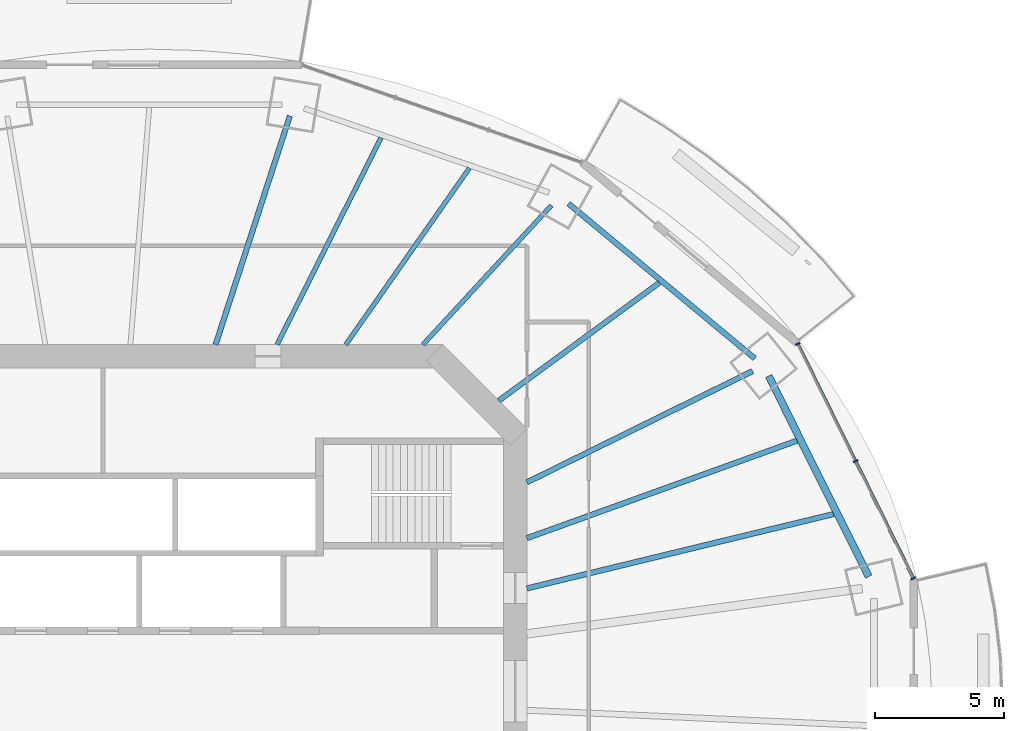
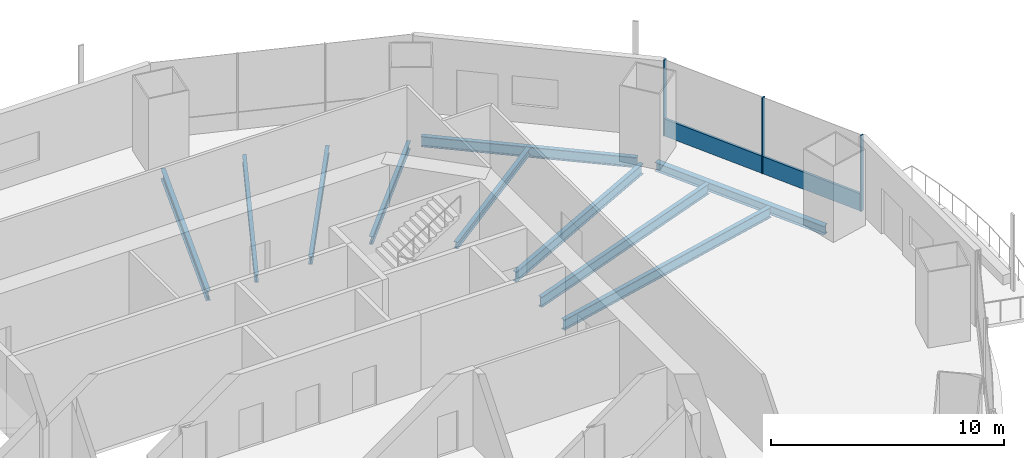
# One storey, part 7 of 19: 10 beams, 4 members, 1 element without a shape of its own.
"""IFC4 building model written with IfcOpenShell, lengths in metres."""

import ifcopenshell
import ifcopenshell.guid

model = None  # the IFC model being written
_history = None  # IfcOwnerHistory: only IFC2X3 demands one
_inside = {}  # id of a spatial element -> (the spatial element, [elements in it])
_under = {}  # id of a project, library or spatial element -> (it, [spatial elements below it])
_declared = {}  # id of a project -> (the project, [libraries it declares])
_typed = {}  # id of a type object -> (the type object, [elements of that type])
_made_of = {}  # id of a material, layer set ... -> (it, [elements and type objects made of it])


def new_model(schema):
    """Start an empty IFC model of exactly this schema.

    Asked for "IFC4X3", IfcOpenShell would pick the latest addendum, in which some entities
    have other attributes; the version numbers below select the first issue.
    IFC2X3 requires an IfcOwnerHistory on every rooted entity: one is made here for all.
    """
    global model, _history
    if schema == "IFC4X3":
        model = ifcopenshell.file(schema_version=(4, 3, 0, 0))
    else:
        model = ifcopenshell.file(schema=schema)
    _inside.clear()
    _under.clear()
    _declared.clear()
    _typed.clear()
    _made_of.clear()
    _history = None
    if model.schema == "IFC2X3":
        org = make("IfcOrganization", Name="unknown")
        user = make(
            "IfcPersonAndOrganization",
            ThePerson=make("IfcPerson", FamilyName="unknown"),
            TheOrganization=org,
        )
        app = make(
            "IfcApplication",
            ApplicationDeveloper=org,
            Version="unknown",
            ApplicationFullName="unknown",
            ApplicationIdentifier="unknown",
        )
        _history = make(
            "IfcOwnerHistory",
            OwningUser=user,
            OwningApplication=app,
            ChangeAction="ADDED",
            CreationDate=0,
        )
    return model


def make(cls, **values):
    """One entity of the class cls with the attributes given. An attribute that is None is left unset."""
    return model.create_entity(
        cls, **{name: value for name, value in values.items() if value is not None}
    )


def rooted(cls, **values):
    """An entity with a GlobalId (a new one), such as an element, a storey or a relation."""
    return make(cls, GlobalId=ifcopenshell.guid.new(), OwnerHistory=_history, **values)


def si_unit(unit_type, name, prefix=None):
    """IfcSIUnit, for example si_unit("LENGTHUNIT", "METRE", prefix="MILLI")."""
    return make("IfcSIUnit", UnitType=unit_type, Prefix=prefix, Name=name)


def assignment(units):
    """IfcUnitAssignment: the units of a project."""
    return None if units is None else make("IfcUnitAssignment", Units=units)


def point(xyz):
    """IfcCartesianPoint."""
    return None if xyz is None else make("IfcCartesianPoint", Coordinates=xyz)


def direction(xyz):
    """IfcDirection."""
    return None if xyz is None else make("IfcDirection", DirectionRatios=xyz)


def frame(location, z_axis=None, x_axis=None):
    """IfcAxis2Placement3D, a coordinate frame: its origin and axes. An axis left out is left unset."""
    return make(
        "IfcAxis2Placement3D",
        Location=point(location),
        Axis=direction(z_axis),
        RefDirection=direction(x_axis),
    )


def frame_2d(location, x_axis=None):
    """IfcAxis2Placement2D, a coordinate frame in the plane: its origin and x axis."""
    return make(
        "IfcAxis2Placement2D", Location=point(location), RefDirection=direction(x_axis)
    )


def origin():
    """The frame at (0, 0, 0) with its axes left unset."""
    return frame((0.0, 0.0, 0.0))


def origin_2d():
    """The frame at (0, 0) in the plane with its x axis left unset."""
    return frame_2d((0.0, 0.0))


def place(relative_to, where):
    """IfcLocalPlacement: puts the frame where relative to a parent placement (None: the world)."""
    return make(
        "IfcLocalPlacement", PlacementRelTo=relative_to, RelativePlacement=where
    )


def context(
    kind, dimensions, precision=None, world=None, true_north=None, identifier=None
):
    """IfcGeometricRepresentationContext, for example the 3D "Model" context."""
    return make(
        "IfcGeometricRepresentationContext",
        ContextIdentifier=identifier,
        ContextType=kind,
        CoordinateSpaceDimension=dimensions,
        Precision=precision,
        WorldCoordinateSystem=world,
        TrueNorth=true_north,
    )


def subcontext(parent, identifier, kind, view, scale=None):
    """IfcGeometricRepresentationSubContext, for example "Body" below "Model"."""
    return make(
        "IfcGeometricRepresentationSubContext",
        ContextIdentifier=identifier,
        ContextType=kind,
        ParentContext=parent,
        TargetScale=scale,
        TargetView=view,
    )


def project(units=None, contexts=None):
    """IfcProject with its units and contexts."""
    return rooted(
        "IfcProject",
        Name="project",
        RepresentationContexts=contexts,
        UnitsInContext=assignment(units),
    )


def spatial(cls, under=None, at=None, **own):
    """A site, building, storey or space (cls), placed at a placement, below another one or the project."""
    s = rooted(cls, ObjectPlacement=at, **own)
    if under is not None:
        _under.setdefault(under.id(), (under, []))[1].append(s)
    return s


def profile(cls, at=None, kind="AREA", **sizes):
    """A parametric profile (cls). Its sizes go by their IFC names, for example OverallWidth=200.0."""
    return make(cls, ProfileType=kind, Position=at, **sizes)


def rectangle(**sizes):
    """IfcRectangleProfileDef."""
    return profile("IfcRectangleProfileDef", **sizes)


def i_section(**sizes):
    """IfcIShapeProfileDef."""
    return profile("IfcIShapeProfileDef", **sizes)


def extrude(swept, where, along, depth):
    """IfcExtrudedAreaSolid: the profile swept, set in the frame where, extruded along a direction by depth."""
    return make(
        "IfcExtrudedAreaSolid",
        SweptArea=swept,
        Position=where,
        ExtrudedDirection=direction(along),
        Depth=depth,
    )


def shape(context_of_items, identifier, shape_type, items):
    """IfcShapeRepresentation: the items that make up one representation, for example the "Body"."""
    return make(
        "IfcShapeRepresentation",
        ContextOfItems=context_of_items,
        RepresentationIdentifier=identifier,
        RepresentationType=shape_type,
        Items=items,
    )


def material(Name=None, Category=None):
    """IfcMaterial."""
    return make("IfcMaterial", Name=Name, Category=Category)


def material_profile(
    of_material, cross_section, Name=None, Category=None, Priority=None
):
    """IfcMaterialProfile: a cross section and its material."""
    return make(
        "IfcMaterialProfile",
        Name=Name,
        Material=of_material,
        Profile=cross_section,
        Priority=Priority,
        Category=Category,
    )


def profile_set(profiles, Name=None, composite=None):
    """IfcMaterialProfileSet."""
    return make(
        "IfcMaterialProfileSet",
        Name=Name,
        MaterialProfiles=profiles,
        CompositeProfile=composite,
    )


def made_of(thing, what):
    """Note that an element or type object is made of a material, layer set ...; save() writes the relation."""
    if what is not None:
        _made_of.setdefault(what.id(), (what, []))[1].append(thing)
    return thing


def type_object(cls, material=None, **own):
    """A type object (cls), such as IfcWallType, which elements share."""
    return made_of(rooted(cls, **own), material)


def element(
    cls,
    number,
    at=None,
    inside=None,
    cuts=None,
    type_object=None,
    material=None,
    context=None,
    identifier="Body",
    shape_type=None,
    held_by="IfcProductDefinitionShape",
    body=None,
    shapes=None,
    **own,
):
    """One element of the class cls, such as IfcWall. Its Tag is "e" and its number.

    at: its placement. inside: the storey or other place that contains it. cuts: it is an
    opening in that element (IfcRelVoidsElement). A single representation is given by context,
    identifier, shape_type and body (its items); several are given by shapes. held_by: the class
    of the entity that holds the representations. save() writes the other relations.
    """
    e = rooted(cls, Tag="e%d" % number, ObjectPlacement=at, **own)
    if body is not None:
        shapes = [shape(context, identifier, shape_type, body)]
    if shapes is not None:
        e.Representation = make(held_by, Representations=shapes)
    if inside is not None:
        _inside.setdefault(inside.id(), (inside, []))[1].append(e)
    if cuts is not None:
        rooted(
            "IfcRelVoidsElement", RelatingBuildingElement=cuts, RelatedOpeningElement=e
        )
    if type_object is not None:
        _typed.setdefault(type_object.id(), (type_object, []))[1].append(e)
    return made_of(e, material)


def aggregate(whole, parts):
    """IfcRelAggregates: a whole, such as a stair, and the parts it consists of."""
    return rooted("IfcRelAggregates", RelatingObject=whole, RelatedObjects=parts)


def save(model, path):
    """Write the relations noted so far, then the file.

    IfcRelAggregates (storeys below a building ...), IfcRelContainedInSpatialStructure (elements
    in a storey), IfcRelDefinesByType, IfcRelAssociatesMaterial and IfcRelDeclares: one each for
    every whole, place, type object, material and project.
    """
    for whole, parts in _under.values():
        aggregate(whole, parts)
    for where, things in _inside.values():
        rooted(
            "IfcRelContainedInSpatialStructure",
            RelatedElements=things,
            RelatingStructure=where,
        )
    for kind, things in _typed.values():
        rooted("IfcRelDefinesByType", RelatedObjects=things, RelatingType=kind)
    for what, things in _made_of.values():
        rooted("IfcRelAssociatesMaterial", RelatedObjects=things, RelatingMaterial=what)
    for by, libraries in _declared.values():
        rooted("IfcRelDeclares", RelatingContext=by, RelatedDefinitions=libraries)
    model.write(path)


model = new_model("IFC4")

# Units and contexts
model_context = context("Model", 3, precision=1e-05, world=origin(), true_north=direction((0.0, 1.0)))
body_context = subcontext(model_context, "Body", "Model", "MODEL_VIEW")
ifc_project = project(units=[si_unit("LENGTHUNIT", "METRE"), si_unit("AREAUNIT", "SQUARE_METRE"), si_unit("VOLUMEUNIT", "CUBIC_METRE"), si_unit("PLANEANGLEUNIT", "RADIAN"), si_unit("MASSUNIT", "GRAM", prefix="KILO")], contexts=[model_context])

# Site, building, storey
site_placement = place(None, origin())
site = spatial("IfcSite", under=ifc_project, at=site_placement, CompositionType="ELEMENT")
building_placement = place(site_placement, origin())
building = spatial("IfcBuilding", under=site, at=building_placement, Name="Marenthal Gate Tower", CompositionType="ELEMENT")
storey_placement = place(building_placement, frame((0.0, 0.0, 235.75)))
storey = spatial("IfcBuildingStorey", under=building, at=storey_placement, Name="L52", CompositionType="ELEMENT", Elevation=235.75)

# Curtain wall, members
ifc_material_1 = material(Name="Aluminium and glass", Category="aluminium")
curtain_wall_type = type_object("IfcCurtainWallType", Name="Curtain wall typical mid", PredefinedType="NOTDEFINED", material=ifc_material_1)
curtain_wall_placement = place(storey_placement, origin())
curtain_wall = element("IfcCurtainWall", 1, at=curtain_wall_placement, inside=storey, type_object=curtain_wall_type, Name="Curtain wall L52 bay 1", PredefinedType="NOTDEFINED")
ifc_material_2 = material(Name="Aluminium", Category="aluminium")
ifc_material_profile_1 = material_profile(ifc_material_2, rectangle(XDim=0.179931640625, YDim=0.06005859375, at=origin_2d()), Name="60x180 aluminium mullion")
ifc_profile_set_1 = profile_set([ifc_material_profile_1], Name="Aluminium")
member_type_1 = type_object("IfcMemberType", Name="Mullion 60x180 typical mid", PredefinedType="MULLION", material=ifc_profile_set_1)
member_1_placement = place(storey_placement, frame((31.45068359375, 4.382080078125, 0.0), z_axis=(0.0, 0.0, 1.0), x_axis=(-0.896835471663, -0.442364258013, 0.0)))
member_1 = element("IfcMember", 2, at=member_1_placement, type_object=member_type_1, Name="Mullion L52 bay 1.1", PredefinedType="MULLION", context=body_context, shape_type="SweptSolid", body=[
    extrude(rectangle(XDim=0.179931640625, YDim=0.06005859375, at=origin_2d()), origin(), (0.0, 0.0, 1.0), 3.969970703125),
])
member_2_placement = place(storey_placement, frame((29.205810546875, 8.93310546875, 0.0), z_axis=(0.0, 0.0, 1.0), x_axis=(-0.896835471663, -0.442364258013, 0.0)))
member_2 = element("IfcMember", 3, at=member_2_placement, type_object=member_type_1, Name="Mullion L52 bay 1.2", PredefinedType="MULLION", context=body_context, shape_type="SweptSolid", body=[
    extrude(rectangle(XDim=0.179931640625, YDim=0.06005859375, at=origin_2d()), origin(), (0.0, 0.0, 1.0), 3.969970703125),
])
member_3_placement = place(storey_placement, frame((26.961181640625, 13.48388671875, 0.0), z_axis=(0.0, 0.0, 1.0), x_axis=(-0.896835471663, -0.442364258013, 0.0)))
member_3 = element("IfcMember", 4, at=member_3_placement, type_object=member_type_1, Name="Mullion L52 bay 1.3", PredefinedType="MULLION", context=body_context, shape_type="SweptSolid", body=[
    extrude(rectangle(XDim=0.179931640625, YDim=0.06005859375, at=origin_2d()), origin(), (0.0, 0.0, 1.0), 3.969970703125),
])
ifc_material_3 = material(Name="Aluminium", Category="aluminium")
ifc_material_profile_2 = material_profile(ifc_material_3, rectangle(XDim=0.1201171875, YDim=0.89990234375, at=origin_2d()), Name="120x900 aluminium transom")
ifc_profile_set_2 = profile_set([ifc_material_profile_2], Name="Aluminium")
member_type_2 = type_object("IfcMemberType", Name="Transom 120x900 typical mid", PredefinedType="USERDEFINED", material=ifc_profile_set_2)
member_4_placement = place(storey_placement, frame((31.437255859375, 4.408935546875, 0.449951171875), z_axis=(-0.442357544454, 0.896838783096, 0.0), x_axis=(-0.896838783096, -0.442357544454, 0.0)))
member_4 = element("IfcMember", 5, at=member_4_placement, type_object=member_type_2, Name="Transom L52 bay 1", ObjectType="TRANSOM", PredefinedType="USERDEFINED", context=body_context, shape_type="SweptSolid", body=[
    extrude(rectangle(XDim=0.1201171875, YDim=0.89990234375, at=origin_2d()), origin(), (0.0, 0.0, 1.0), 10.0888671875),
])
aggregate(curtain_wall, [member_1, member_2, member_3, member_4])

# Beams
ifc_material_4 = material(Name="Steel S355", Category="steel")
ifc_material_profile_3 = material_profile(ifc_material_4, i_section(OverallWidth=0.205078125, OverallDepth=0.35302734375, WebThickness=0.009521484375, FlangeThickness=0.016845703125, FilletRadius=0.014892578125, at=origin_2d()), Name="W360X79")
ifc_profile_set_3 = profile_set([ifc_material_profile_3], Name="Steel S355")
beam_type_1 = type_object("IfcBeamType", Name="W360X79 beam", PredefinedType="BEAM", material=ifc_profile_set_3)
beam_1_placement = place(storey_placement, frame((21.591796875, 15.854248046875, -0.3564453125), z_axis=(-0.806043496399, -0.591856301743, 0.0), x_axis=(0.591856301743, -0.806043496399, 0.0)))
element("IfcBeam", 6, at=beam_1_placement, inside=storey, type_object=beam_type_1, Name="BM-L52-19", PredefinedType="BEAM", context=body_context, shape_type="SweptSolid", body=[
    extrude(i_section(OverallWidth=0.205078125, OverallDepth=0.35302734375, WebThickness=0.009521484375, FlangeThickness=0.016845703125, FilletRadius=0.014892578125, at=origin_2d()), origin(), (0.0, 0.0, 1.0), 7.732666015625),
])
ifc_material_5 = material(Name="Steel S355", Category="steel")
ifc_material_profile_4 = material_profile(ifc_material_5, i_section(OverallWidth=0.180908203125, OverallDepth=0.4169921875, WebThickness=0.010986328125, FlangeThickness=0.018310546875, FilletRadius=0.01025390625, at=origin_2d()), Name="W410X85")
ifc_profile_set_4 = profile_set([ifc_material_profile_4], Name="Steel S355")
beam_type_2 = type_object("IfcBeamType", Name="W410X85 beam", PredefinedType="BEAM", material=ifc_profile_set_4)
beam_2_placement = place(storey_placement, frame((17.4013671875, 18.853759765625, -0.388427734375), z_axis=(-0.678237355603, -0.734842901214, 0.0), x_axis=(0.734842901214, -0.678237355603, 0.0)))
element("IfcBeam", 7, at=beam_2_placement, inside=storey, type_object=beam_type_2, Name="BM-L52-03", PredefinedType="BEAM", context=body_context, shape_type="SweptSolid", body=[
    extrude(i_section(OverallWidth=0.180908203125, OverallDepth=0.4169921875, WebThickness=0.010986328125, FlangeThickness=0.018310546875, FilletRadius=0.01025390625, at=origin_2d()), origin(), (0.0, 0.0, 1.0), 7.353759765625),
])
beam_3_placement = place(storey_placement, frame((14.2177734375, 20.300048828125, -0.388427734375), z_axis=(-0.573666087874, -0.819089262305, 0.0), x_axis=(0.819089262305, -0.573666087874, 0.0)))
element("IfcBeam", 8, at=beam_3_placement, inside=storey, type_object=beam_type_2, Name="BM-L52-20", PredefinedType="BEAM", context=body_context, shape_type="SweptSolid", body=[
    extrude(i_section(OverallWidth=0.180908203125, OverallDepth=0.4169921875, WebThickness=0.010986328125, FlangeThickness=0.018310546875, FilletRadius=0.01025390625, at=origin_2d()), origin(), (0.0, 0.0, 1.0), 8.363037109375),
])
beam_4_placement = place(storey_placement, frame((10.788818359375, 21.480224609375, -0.388427734375), z_axis=(-0.448842934274, -0.89361066486, 0.0), x_axis=(0.89361066486, -0.448842934274, 0.0)))
element("IfcBeam", 9, at=beam_4_placement, inside=storey, type_object=beam_type_2, Name="BM-L52-21", PredefinedType="BEAM", context=body_context, shape_type="SweptSolid", body=[
    extrude(i_section(OverallWidth=0.180908203125, OverallDepth=0.4169921875, WebThickness=0.010986328125, FlangeThickness=0.018310546875, FilletRadius=0.01025390625, at=origin_2d()), origin(), (0.0, 0.0, 1.0), 8.986328125),
])
ifc_material_6 = material(Name="Steel S355", Category="steel")
ifc_material_profile_5 = material_profile(ifc_material_6, i_section(OverallWidth=0.279052734375, OverallDepth=0.4619140625, WebThickness=0.0107421875, FlangeThickness=0.017333984375, FilletRadius=0.010009765625, at=origin_2d()), Name="W460X113")
ifc_profile_set_5 = profile_set([ifc_material_profile_5], Name="Steel S355")
beam_type_3 = type_object("IfcBeamType", Name="W460X113 beam", PredefinedType="BEAM", material=ifc_profile_set_5)
beam_5_placement = place(storey_placement, frame((29.713623046875, 4.44921875, -0.410888671875), z_axis=(-0.446112921938, 0.894976681752, 0.0), x_axis=(-0.894976681752, -0.446112921938, 0.0)))
element("IfcBeam", 10, at=beam_5_placement, inside=storey, type_object=beam_type_3, Name="BM-L52-41", PredefinedType="BEAM", context=body_context, shape_type="SweptSolid", body=[
    extrude(i_section(OverallWidth=0.279052734375, OverallDepth=0.4619140625, WebThickness=0.0107421875, FlangeThickness=0.017333984375, FilletRadius=0.010009765625, at=origin_2d()), origin(), (0.0, 0.0, 1.0), 8.69775390625),
])
ifc_material_7 = material(Name="Steel S355", Category="steel")
ifc_material_profile_6 = material_profile(ifc_material_7, i_section(OverallWidth=0.2099609375, OverallDepth=0.535888671875, WebThickness=0.010986328125, FlangeThickness=0.017333984375, FilletRadius=0.0126953125, at=origin_2d()), Name="W530X101")
ifc_profile_set_6 = profile_set([ifc_material_profile_6], Name="Steel S355")
beam_type_4 = type_object("IfcBeamType", Name="W530X101 beam", PredefinedType="BEAM", material=ifc_profile_set_6)
beam_6_placement = place(storey_placement, frame((25.20947265625, 12.423828125, -0.447998046875), z_axis=(-0.896987399535, -0.442056110777, 0.0), x_axis=(0.442056110777, -0.896987399535, 0.0)))
element("IfcBeam", 11, at=beam_6_placement, inside=storey, type_object=beam_type_4, Name="BM-L52-02", PredefinedType="BEAM", context=body_context, shape_type="SweptSolid", body=[
    extrude(i_section(OverallWidth=0.2099609375, OverallDepth=0.535888671875, WebThickness=0.010986328125, FlangeThickness=0.017333984375, FilletRadius=0.0126953125, at=origin_2d()), origin(), (0.0, 0.0, 1.0), 9.765380859375),
])
beam_7_placement = place(storey_placement, frame((7.25, 22.322998046875, -0.447998046875), z_axis=(-0.308901447046, -0.951094052138, 0.0), x_axis=(0.951094052138, -0.308901447046, 0.0)))
element("IfcBeam", 12, at=beam_7_placement, inside=storey, type_object=beam_type_4, Name="BM-L52-04", PredefinedType="BEAM", context=body_context, shape_type="SweptSolid", body=[
    extrude(i_section(OverallWidth=0.2099609375, OverallDepth=0.535888671875, WebThickness=0.010986328125, FlangeThickness=0.017333984375, FilletRadius=0.0126953125, at=origin_2d()), origin(), (0.0, 0.0, 1.0), 9.329345703125),
])
beam_8_placement = place(storey_placement, frame((26.9287109375, 9.723388671875, -0.447998046875), z_axis=(-0.940562649945, -0.339620231329, 0.0), x_axis=(0.339620231329, -0.940562649945, 0.0)))
element("IfcBeam", 13, at=beam_8_placement, inside=storey, type_object=beam_type_4, Name="BM-L52-18", PredefinedType="BEAM", context=body_context, shape_type="SweptSolid", body=[
    extrude(i_section(OverallWidth=0.2099609375, OverallDepth=0.535888671875, WebThickness=0.010986328125, FlangeThickness=0.017333984375, FilletRadius=0.0126953125, at=origin_2d()), origin(), (0.0, 0.0, 1.0), 11.140869140625),
])
ifc_material_8 = material(Name="Steel S355", Category="steel")
ifc_material_profile_7 = material_profile(ifc_material_8, i_section(OverallWidth=0.2119140625, OverallDepth=0.5439453125, WebThickness=0.01318359375, FlangeThickness=0.021240234375, FilletRadius=0.0126953125, at=origin_2d()), Name="W530X123")
ifc_profile_set_7 = profile_set([ifc_material_profile_7], Name="Steel S355")
beam_type_5 = type_object("IfcBeamType", Name="W530X123 beam", PredefinedType="BEAM", material=ifc_profile_set_7)
beam_9_placement = place(storey_placement, frame((28.348388671875, 6.875244140625, -0.451904296875), z_axis=(-0.97182630342, -0.235698188329, 0.0), x_axis=(0.235698188329, -0.97182630342, 0.0)))
element("IfcBeam", 14, at=beam_9_placement, inside=storey, type_object=beam_type_5, Name="BM-L52-17", PredefinedType="BEAM", context=body_context, shape_type="SweptSolid", body=[
    extrude(i_section(OverallWidth=0.2119140625, OverallDepth=0.5439453125, WebThickness=0.01318359375, FlangeThickness=0.021240234375, FilletRadius=0.0126953125, at=origin_2d()), origin(), (0.0, 0.0, 1.0), 12.243408203125),
])
beam_10_placement = place(storey_placement, frame((25.292724609375, 12.916748046875, -0.451904296875), z_axis=(-0.769136149311, 0.63908495822, 0.0), x_axis=(-0.63908495822, -0.769136149311, 0.0)))
element("IfcBeam", 15, at=beam_10_placement, inside=storey, type_object=beam_type_5, Name="BM-L52-42", PredefinedType="BEAM", context=body_context, shape_type="SweptSolid", body=[
    extrude(i_section(OverallWidth=0.2119140625, OverallDepth=0.5439453125, WebThickness=0.01318359375, FlangeThickness=0.021240234375, FilletRadius=0.0126953125, at=origin_2d()), origin(), (0.0, 0.0, 1.0), 9.397705078125),
])

save(model, "model.ifc")
